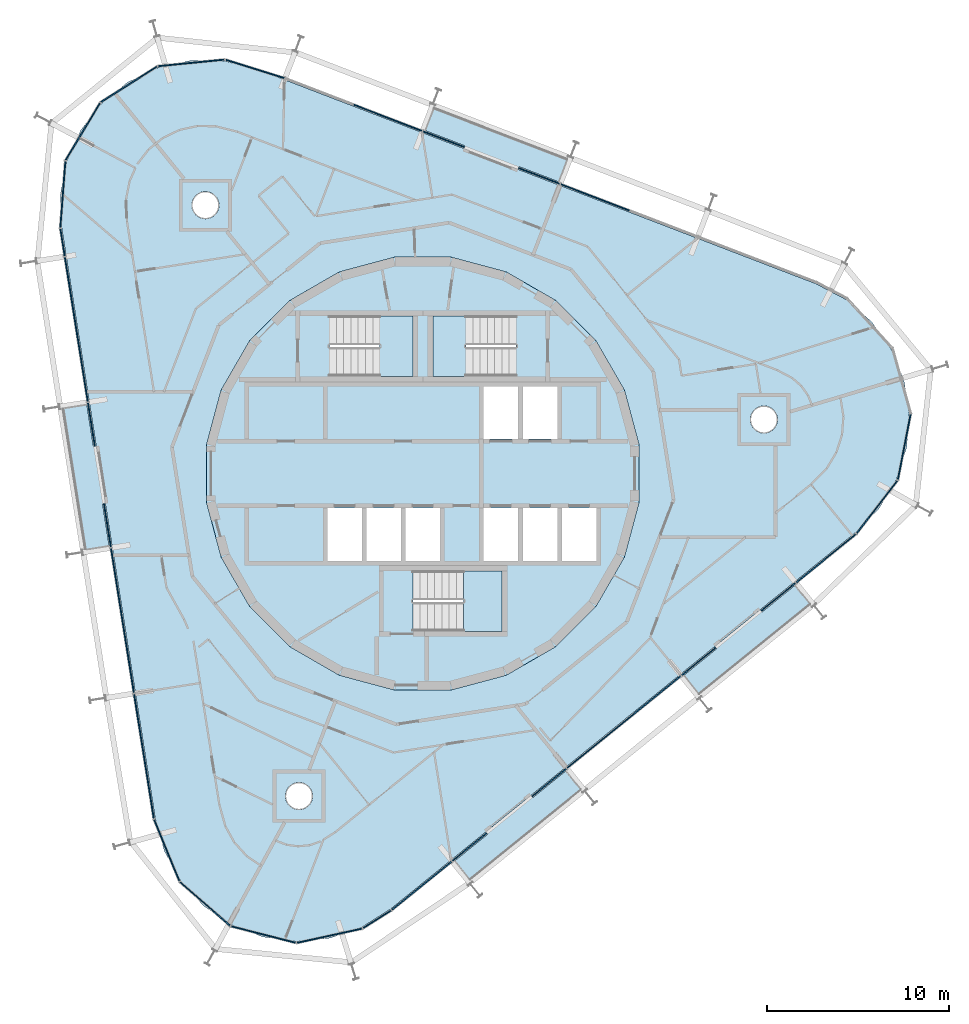
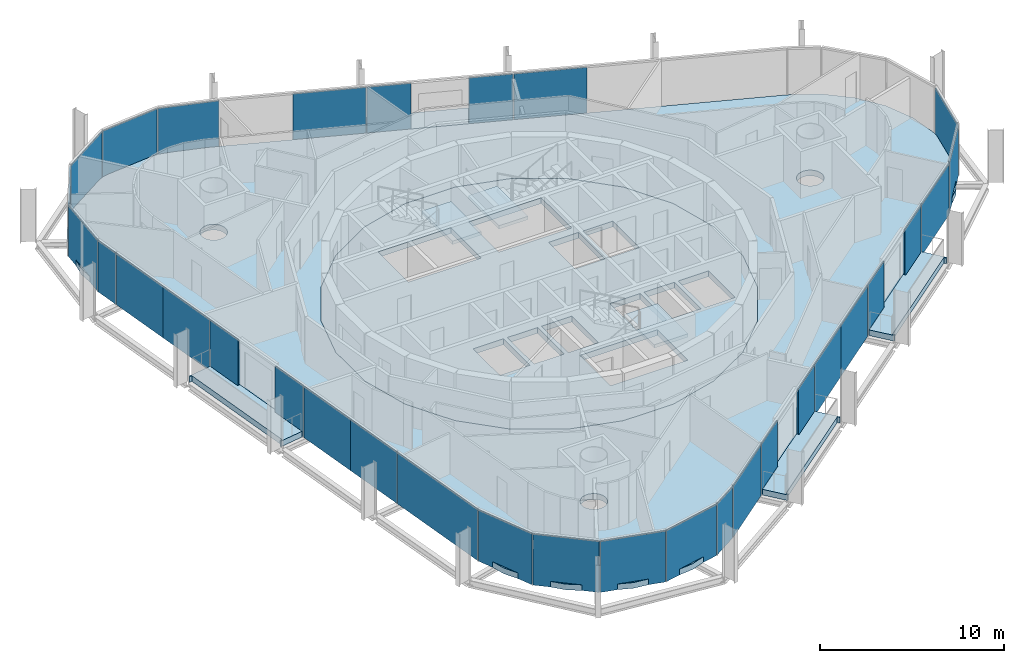
# One storey, part 10 of 17: 32 plates, 9 slabs, 9 elements without a shape of their own.
"""IFC4 building model written with IfcOpenShell, lengths in metres."""

from ifc_helpers import new_model, si_unit, direction, frame, origin, origin_2d, place, context, subcontext, project, spatial, polyline, rectangle, outline, extrude, material, layer, layer_set, type_object, element, aggregate, save


model = new_model("IFC4")

# Units and contexts
model_context = context("Model", 3, precision=1e-05, world=origin(), true_north=direction((0.0, 1.0)))
body_context = subcontext(model_context, "Body", "Model", "MODEL_VIEW")
ifc_project = project(units=[si_unit("LENGTHUNIT", "METRE"), si_unit("AREAUNIT", "SQUARE_METRE"), si_unit("VOLUMEUNIT", "CUBIC_METRE"), si_unit("PLANEANGLEUNIT", "RADIAN"), si_unit("MASSUNIT", "GRAM", prefix="KILO")], contexts=[model_context])

# Site, building, storey
site_placement = place(None, origin())
site = spatial("IfcSite", under=ifc_project, at=site_placement, CompositionType="ELEMENT")
building_placement = place(site_placement, origin())
building = spatial("IfcBuilding", under=site, at=building_placement, Name="Spindle Arch Residences", CompositionType="ELEMENT")
storey_placement = place(building_placement, frame((0.0, 0.0, 284.39990234375)))
storey = spatial("IfcBuildingStorey", under=building, at=storey_placement, Name="L73", CompositionType="ELEMENT", Elevation=284.39990234375)

# Slabs
ifc_material_1 = material(Name="Concrete C40/50", Category="concrete")
ifc_layer_1 = layer(ifc_material_1, 0.3798828125)
ifc_layer_set_1 = layer_set([ifc_layer_1], Name="Balcony slab 380")
slab_type_1 = type_object("IfcSlabType", Name="Balcony slab 380", PredefinedType="FLOOR", material=ifc_layer_set_1)
slab_1_placement = place(storey_placement, frame((0.0, 0.0, -0.3798828125)))
element("IfcSlab", 1, at=slab_1_placement, inside=storey, type_object=slab_type_1, Name="Balcony L73 bay 1", PredefinedType="FLOOR", context=body_context, shape_type="SweptSolid", body=[
    extrude(outline(polyline([(15.258056640625, -12.28125), (15.31640625, -12.234130859375), (15.221923828125, -12.11767578125), (21.28955078125, -7.2041015625), (21.384033203125, -7.32080078125), (21.442138671875, -7.2734375), (20.504638671875, -6.115478515625), (18.65576171875, -7.612548828125), (18.55517578125, -7.48828125), (16.068359375, -9.501953125), (16.1689453125, -9.62646484375), (14.3203125, -11.12353515625), (15.258056640625, -12.28125)])), origin(), (0.0, 0.0, 1.0), 0.3798828125),
])
slab_2_placement = place(storey_placement, frame((0.0, 0.0, -0.3798828125)))
element("IfcSlab", 2, at=slab_2_placement, inside=storey, type_object=slab_type_1, Name="Balcony L73 bay 7", PredefinedType="FLOOR", context=body_context, shape_type="SweptSolid", body=[
    extrude(outline(polyline([(8.052978515625, 17.41748046875), (7.98291015625, 17.4443359375), (7.92919921875, 17.304443359375), (0.64013671875, 20.102294921875), (0.694091796875, 20.242431640625), (0.6240234375, 20.269287109375), (0.090087890625, 18.878173828125), (2.310791015625, 18.025634765625), (2.25341796875, 17.87646484375), (5.240966796875, 16.7294921875), (5.29833984375, 16.87890625), (7.51904296875, 16.0263671875), (8.052978515625, 17.41748046875)])), origin(), (0.0, 0.0, 1.0), 0.3798828125),
])
slab_3_placement = place(storey_placement, frame((0.0, 0.0, -0.3798828125)))
element("IfcSlab", 3, at=slab_3_placement, inside=storey, type_object=slab_type_1, Name="Balcony L73 bay 13", PredefinedType="FLOOR", context=body_context, shape_type="SweptSolid", body=[
    extrude(outline(polyline([(-19.9560546875, 3.603759765625), (-19.9443359375, 3.52978515625), (-19.796142578125, 3.55322265625), (-18.57470703125, -4.158203125), (-18.722900390625, -4.181640625), (-18.711181640625, -4.255859375), (-17.239501953125, -4.022705078125), (-17.611572265625, -1.673095703125), (-17.45361328125, -1.648193359375), (-17.954345703125, 1.512451171875), (-18.1123046875, 1.487548828125), (-18.484375, 3.8369140625), (-19.9560546875, 3.603759765625)])), origin(), (0.0, 0.0, 1.0), 0.3798828125),
])
slab_4_placement = place(storey_placement, frame((0.0, 0.0, -0.3798828125)))
element("IfcSlab", 4, at=slab_4_placement, inside=storey, type_object=slab_type_1, Name="Balcony L73 bay 19", PredefinedType="FLOOR", context=body_context, shape_type="SweptSolid", body=[
    extrude(outline(polyline([(2.656494140625, -22.48583984375), (2.71484375, -22.438720703125), (2.620361328125, -22.322021484375), (8.68798828125, -17.40869140625), (8.782470703125, -17.525146484375), (8.840576171875, -17.47802734375), (7.903076171875, -16.320068359375), (6.05419921875, -17.817138671875), (5.95361328125, -17.69287109375), (3.466796875, -19.70654296875), (3.5673828125, -19.8310546875), (1.71875, -21.327880859375), (2.656494140625, -22.48583984375)])), origin(), (0.0, 0.0, 1.0), 0.3798828125),
])
ifc_material_2 = material(Name="Concrete C50/60", Category="concrete")
ifc_layer_2 = layer(ifc_material_2, 0.3798828125)
ifc_layer_set_2 = layer_set([ifc_layer_2], Name="Core floor slab 380")
slab_type_2 = type_object("IfcSlabType", Name="Core floor slab 380", PredefinedType="FLOOR", material=ifc_layer_set_2)
slab_5_placement = place(storey_placement, frame((0.0, 0.0, -0.3798828125)))
element("IfcSlab", 5, at=slab_5_placement, inside=storey, type_object=slab_type_2, Name="Core floor L73", PredefinedType="FLOOR", context=body_context, shape_type="SweptSolid", body=[
    extrude(outline(polyline([(1.56640625, -11.897216796875), (4.59228515625, -11.086669921875), (7.30517578125, -9.520263671875), (9.520263671875, -7.30517578125), (11.086669921875, -4.59228515625), (11.897216796875, -1.56640625), (11.897216796875, 1.56640625), (11.086669921875, 4.59228515625), (9.520263671875, 7.30517578125), (7.30517578125, 9.520263671875), (4.59228515625, 11.086669921875), (1.56640625, 11.897216796875), (-1.56640625, 11.897216796875), (-4.59228515625, 11.086669921875), (-7.30517578125, 9.520263671875), (-9.520263671875, 7.30517578125), (-11.086669921875, 4.59228515625), (-11.897216796875, 1.56640625), (-11.897216796875, -1.56640625), (-11.086669921875, -4.59228515625), (-9.520263671875, -7.30517578125), (-7.30517578125, -9.520263671875), (-4.59228515625, -11.086669921875), (-1.56640625, -11.897216796875), (1.56640625, -11.897216796875)]), holes=[polyline([(3.35009765625, 1.89990234375), (5.25, 1.89990234375), (5.25, 4.800048828125), (3.35009765625, 4.800048828125), (3.35009765625, 1.89990234375)]), polyline([(5.5, 1.89990234375), (7.39990234375, 1.89990234375), (7.39990234375, 4.800048828125), (5.5, 4.800048828125), (5.5, 1.89990234375)]), polyline([(-5.25, -4.800048828125), (-3.35009765625, -4.800048828125), (-3.35009765625, -1.89990234375), (-5.25, -1.89990234375), (-5.25, -4.800048828125)]), polyline([(-3.10009765625, -4.800048828125), (-1.199951171875, -4.800048828125), (-1.199951171875, -1.89990234375), (-3.10009765625, -1.89990234375), (-3.10009765625, -4.800048828125)]), polyline([(-0.949951171875, -4.800048828125), (0.949951171875, -4.800048828125), (0.949951171875, -1.89990234375), (-0.949951171875, -1.89990234375), (-0.949951171875, -4.800048828125)]), polyline([(3.35009765625, -4.800048828125), (5.25, -4.800048828125), (5.25, -1.89990234375), (3.35009765625, -1.89990234375), (3.35009765625, -4.800048828125)]), polyline([(5.5, -4.800048828125), (7.39990234375, -4.800048828125), (7.39990234375, -1.89990234375), (5.5, -1.89990234375), (5.5, -4.800048828125)]), polyline([(7.64990234375, -4.800048828125), (9.550048828125, -4.800048828125), (9.550048828125, -1.89990234375), (7.64990234375, -1.89990234375), (7.64990234375, -4.800048828125)]), polyline([(5.1298828125, 8.669921875), (0.550048828125, 8.669921875), (0.550048828125, 5.35009765625), (5.1298828125, 5.35009765625), (5.1298828125, 8.669921875)]), polyline([(-5.1298828125, 5.35009765625), (-0.550048828125, 5.35009765625), (-0.550048828125, 8.669921875), (-5.1298828125, 8.669921875), (-5.1298828125, 5.35009765625)]), polyline([(-0.530029296875, -8.669921875), (4.35009765625, -8.669921875), (4.35009765625, -5.35009765625), (-0.530029296875, -5.35009765625), (-0.530029296875, -8.669921875)])]), origin(), (0.0, 0.0, 1.0), 0.3798828125),
])

# Stair, slab
ifc_material_3 = material(Name="Concrete C50/60", Category="concrete")
stair_type = type_object("IfcStairType", Name="Exit stair 16 risers", PredefinedType="HALF_TURN_STAIR", material=ifc_material_3)
stair_1_placement = place(storey_placement, origin())
stair_1 = element("IfcStair", 6, at=stair_1_placement, inside=storey, type_object=stair_type, Name="L73 Exit stair ST1", PredefinedType="HALF_TURN_STAIR")
ifc_material_4 = material(Name="Concrete C50/60", Category="concrete")
ifc_layer_3 = layer(ifc_material_4, 0.219970703125)
ifc_layer_set_3 = layer_set([ifc_layer_3], Name="Exit stair landing 220")
slab_type_3 = type_object("IfcSlabType", Name="Exit stair landing 220", PredefinedType="LANDING", material=ifc_layer_set_3)
slab_6_placement = place(storey_placement, frame((0.0, 0.0, 1.530029296875)))
slab_6 = element("IfcSlab", 7, at=slab_6_placement, type_object=slab_type_3, Name="ST1 landing 1", PredefinedType="LANDING", context=body_context, shape_type="SweptSolid", body=[
    extrude(outline(polyline([(2.3701171875, 8.669921875), (0.550048828125, 8.669921875), (0.550048828125, 5.35009765625), (2.3701171875, 5.35009765625), (2.3701171875, 8.669921875)])), origin(), (0.0, 0.0, 1.0), 0.219970703125),
])
aggregate(stair_1, [slab_6])

stair_2_placement = place(storey_placement, origin())
stair_2 = element("IfcStair", 8, at=stair_2_placement, inside=storey, type_object=stair_type, Name="L73 Exit stair ST2", PredefinedType="HALF_TURN_STAIR")
slab_7_placement = place(storey_placement, frame((0.0, 0.0, 1.530029296875)))
slab_7 = element("IfcSlab", 9, at=slab_7_placement, type_object=slab_type_3, Name="ST2 landing 1", PredefinedType="LANDING", context=body_context, shape_type="SweptSolid", body=[
    extrude(outline(polyline([(-2.3701171875, 5.35009765625), (-0.550048828125, 5.35009765625), (-0.550048828125, 8.669921875), (-2.3701171875, 8.669921875), (-2.3701171875, 5.35009765625)])), origin(), (0.0, 0.0, 1.0), 0.219970703125),
])
aggregate(stair_2, [slab_7])

stair_3_placement = place(storey_placement, origin())
stair_3 = element("IfcStair", 10, at=stair_3_placement, inside=storey, type_object=stair_type, Name="L73 Exit stair ST3", PredefinedType="HALF_TURN_STAIR")
slab_8_placement = place(storey_placement, frame((0.0, 0.0, 1.530029296875)))
slab_8 = element("IfcSlab", 11, at=slab_8_placement, type_object=slab_type_3, Name="ST3 landing 1", PredefinedType="LANDING", context=body_context, shape_type="SweptSolid", body=[
    extrude(outline(polyline([(2.22998046875, -8.669921875), (4.35009765625, -8.669921875), (4.35009765625, -5.35009765625), (2.22998046875, -5.35009765625), (2.22998046875, -8.669921875)])), origin(), (0.0, 0.0, 1.0), 0.219970703125),
])
aggregate(stair_3, [slab_8])

# Slab
ifc_material_5 = material(Name="Concrete C40/50", Category="concrete")
ifc_layer_4 = layer(ifc_material_5, 0.3798828125)
ifc_layer_set_4 = layer_set([ifc_layer_4], Name="Floor slab 380")
slab_type_4 = type_object("IfcSlabType", Name="Floor slab 380", PredefinedType="FLOOR", material=ifc_layer_set_4)
slab_9_placement = place(storey_placement, frame((0.0, 0.0, -0.3798828125)))
element("IfcSlab", 12, at=slab_9_placement, inside=storey, type_object=slab_type_4, Name="Floor slab L73", PredefinedType="FLOOR", context=body_context, shape_type="SweptSolid", body=[
    extrude(outline(polyline([(-3.341552734375, -24.9423828125), (-5.097900390625, -25.547119140625), (-6.9462890625, -25.73046875), (-8.787109375, -25.482666015625), (-10.521240234375, -24.81689453125), (-12.054931640625, -23.769287109375), (-13.305908203125, -22.396240234375), (-14.20654296875, -20.771484375), (-14.7080078125, -18.983154296875), (-19.854248046875, 13.509033203125), (-19.929931640625, 15.364990234375), (-19.575439453125, 17.188232421875), (-18.81005859375, 18.880859375), (-17.675048828125, 20.35107421875), (-16.231689453125, 21.52001953125), (-14.557373046875, 22.32470703125), (-12.74267578125, 22.721435546875), (-10.885498046875, 22.68896484375), (-9.0859375, 22.22900390625), (21.626220703125, 10.439697265625), (23.271484375, 9.577392578125), (24.67333984375, 8.358642578125), (25.75634765625, 6.849609375), (26.462158203125, 5.131591796875), (26.752685546875, 3.296875), (26.6123046875, 1.444580078125), (26.048583984375, -0.3251953125), (25.092041015625, -1.917236328125), (23.7939453125, -3.24609375), (11.010986328125, -13.597412109375), (-1.77197265625, -23.94873046875), (-3.341552734375, -24.9423828125)]), holes=[polyline([(7.30517578125, -9.520263671875), (9.520263671875, -7.30517578125), (11.086669921875, -4.59228515625), (11.897216796875, -1.56640625), (11.897216796875, 1.56640625), (11.086669921875, 4.59228515625), (9.520263671875, 7.30517578125), (7.30517578125, 9.520263671875), (4.59228515625, 11.086669921875), (1.56640625, 11.897216796875), (-1.56640625, 11.897216796875), (-4.59228515625, 11.086669921875), (-7.30517578125, 9.520263671875), (-9.520263671875, 7.30517578125), (-11.086669921875, 4.59228515625), (-11.897216796875, 1.56640625), (-11.897216796875, -1.56640625), (-11.086669921875, -4.59228515625), (-9.520263671875, -7.30517578125), (-7.30517578125, -9.520263671875), (-4.59228515625, -11.086669921875), (-1.56640625, -11.897216796875), (1.56640625, -11.897216796875), (4.59228515625, -11.086669921875), (7.30517578125, -9.520263671875)]), polyline([(-6.2763671875, -18.261962890625), (-6.18310546875, -18.1484375), (-6.11376953125, -18.018798828125), (-6.071044921875, -17.8779296875), (-6.056640625, -17.731689453125), (-6.071044921875, -17.58544921875), (-6.11376953125, -17.444580078125), (-6.18310546875, -17.31494140625), (-6.2763671875, -17.201416015625), (-6.389892578125, -17.108154296875), (-6.51953125, -17.038818359375), (-6.660400390625, -16.99609375), (-6.806640625, -16.981689453125), (-6.952880859375, -16.99609375), (-7.093505859375, -17.038818359375), (-7.223388671875, -17.108154296875), (-7.3369140625, -17.201416015625), (-7.43017578125, -17.31494140625), (-7.49951171875, -17.444580078125), (-7.542236328125, -17.58544921875), (-7.556640625, -17.731689453125), (-7.542236328125, -17.8779296875), (-7.49951171875, -18.018798828125), (-7.43017578125, -18.1484375), (-7.3369140625, -18.261962890625), (-7.223388671875, -18.355224609375), (-7.093505859375, -18.424560546875), (-6.952880859375, -18.46728515625), (-6.806640625, -18.481689453125), (-6.660400390625, -18.46728515625), (-6.51953125, -18.424560546875), (-6.389892578125, -18.355224609375), (-6.2763671875, -18.261962890625)]), polyline([(-11.3291015625, 14.34375), (-11.260009765625, 14.473388671875), (-11.21728515625, 14.6142578125), (-11.202880859375, 14.760498046875), (-11.21728515625, 14.90673828125), (-11.260009765625, 15.047607421875), (-11.3291015625, 15.17724609375), (-11.422607421875, 15.290771484375), (-11.5361328125, 15.384033203125), (-11.665771484375, 15.453369140625), (-11.806396484375, 15.49609375), (-11.952880859375, 15.510498046875), (-12.09912109375, 15.49609375), (-12.23974609375, 15.453369140625), (-12.369384765625, 15.384033203125), (-12.483154296875, 15.290771484375), (-12.576416015625, 15.17724609375), (-12.645751953125, 15.047607421875), (-12.6884765625, 14.90673828125), (-12.702880859375, 14.760498046875), (-12.6884765625, 14.6142578125), (-12.645751953125, 14.473388671875), (-12.576416015625, 14.34375), (-12.483154296875, 14.230224609375), (-12.369384765625, 14.136962890625), (-12.23974609375, 14.067626953125), (-12.09912109375, 14.02490234375), (-11.952880859375, 14.010498046875), (-11.806396484375, 14.02490234375), (-11.665771484375, 14.067626953125), (-11.5361328125, 14.136962890625), (-11.422607421875, 14.230224609375), (-11.3291015625, 14.34375)]), polyline([(19.383056640625, 2.554443359375), (19.452392578125, 2.68408203125), (19.4951171875, 2.824951171875), (19.509521484375, 2.97119140625), (19.4951171875, 3.117431640625), (19.452392578125, 3.25830078125), (19.383056640625, 3.387939453125), (19.289794921875, 3.50146484375), (19.176025390625, 3.5947265625), (19.04638671875, 3.6640625), (18.90576171875, 3.706787109375), (18.759521484375, 3.72119140625), (18.613037109375, 3.706787109375), (18.472412109375, 3.6640625), (18.3427734375, 3.5947265625), (18.22900390625, 3.50146484375), (18.1357421875, 3.387939453125), (18.06640625, 3.25830078125), (18.023681640625, 3.117431640625), (18.009521484375, 2.97119140625), (18.023681640625, 2.824951171875), (18.06640625, 2.68408203125), (18.1357421875, 2.554443359375), (18.22900390625, 2.44091796875), (18.3427734375, 2.34765625), (18.472412109375, 2.2783203125), (18.613037109375, 2.235595703125), (18.759521484375, 2.22119140625), (18.90576171875, 2.235595703125), (19.04638671875, 2.2783203125), (19.176025390625, 2.34765625), (19.289794921875, 2.44091796875), (19.383056640625, 2.554443359375)])]), origin(), (0.0, 0.0, 1.0), 0.3798828125),
])

# Curtain wall, plates
ifc_material_6 = material(Name="Aluminium bronze unitised frame with tinted glass", Category="aluminium")
ifc_layer_5 = layer(ifc_material_6, 0.159912109375)
ifc_layer_set_5 = layer_set([ifc_layer_5], Name="CW-D corner wall on the fillet arcs")
curtain_wall_type_1 = type_object("IfcCurtainWallType", Name="CW-D corner wall on the fillet arcs", PredefinedType="NOTDEFINED", material=ifc_layer_set_5)
curtain_wall_1_placement = place(storey_placement, origin())
curtain_wall_1 = element("IfcCurtainWall", 13, at=curtain_wall_1_placement, inside=storey, type_object=curtain_wall_type_1, Name="CW-D L73 run 1", PredefinedType="NOTDEFINED")
ifc_material_7 = material(Name="Tinted double glazing over non-combustible spandrel zone with 0.55 mm stainless steel cavity fire stop (K0)", Category="steel")
ifc_layer_6 = layer(ifc_material_7, 0.070068359375)
ifc_layer_set_6 = layer_set([ifc_layer_6], Name="Unitised glass panel with spandrel zone and stainless cavity fire stop")
plate_type = type_object("IfcPlateType", Name="Unitised glass panel with spandrel zone and stainless cavity fire stop", PredefinedType="CURTAIN_PANEL", material=ifc_layer_set_6)
plate_1_placement = place(storey_placement, frame((22.178466796875, -4.6572265625, -0.3798828125), z_axis=(0.0, 0.0, 1.0), x_axis=(0.777145961457, 0.62932039105, 0.0)))
plate_1 = element("IfcPlate", 14, at=plate_1_placement, type_object=plate_type, Name="CW-D unit 00", PredefinedType="CURTAIN_PANEL", context=body_context, shape_type="SweptSolid", body=[
    extrude(rectangle(XDim=4.227294921875, YDim=0.070068359375, at=origin_2d()), origin(), (0.0, 0.0, 1.0), 3.3798828125),
])
plate_2_placement = place(storey_placement, frame((24.98291015625, -1.833251953125, -0.3798828125), z_axis=(0.0, 0.0, 1.0), x_axis=(0.611066622764, 0.791579170105, 0.0)))
plate_2 = element("IfcPlate", 15, at=plate_2_placement, type_object=plate_type, Name="CW-D unit 01", PredefinedType="CURTAIN_PANEL", context=body_context, shape_type="SweptSolid", body=[
    extrude(rectangle(XDim=3.666748046875, YDim=0.070068359375, at=origin_2d()), origin(), (0.0, 0.0, 1.0), 3.3798828125),
])
plate_3_placement = place(storey_placement, frame((26.47705078125, 1.470947265625, -0.3798828125), z_axis=(0.0, 0.0, 1.0), x_axis=(0.190808994811, 0.981627183558, 0.0)))
plate_3 = element("IfcPlate", 16, at=plate_3_placement, type_object=plate_type, Name="CW-D unit 02", PredefinedType="CURTAIN_PANEL", context=body_context, shape_type="SweptSolid", body=[
    extrude(rectangle(XDim=3.666748046875, YDim=0.070068359375, at=origin_2d()), origin(), (0.0, 0.0, 1.0), 3.3798828125),
])
aggregate(curtain_wall_1, [plate_1, plate_2, plate_3])

ifc_material_8 = material(Name="Aluminium bronze unitised frame with tinted glass", Category="aluminium")
ifc_layer_7 = layer(ifc_material_8, 0.159912109375)
ifc_layer_set_7 = layer_set([ifc_layer_7], Name="CW-C typical residential unitised wall")
curtain_wall_type_2 = type_object("IfcCurtainWallType", Name="CW-C typical residential unitised wall", PredefinedType="NOTDEFINED", material=ifc_layer_set_7)
curtain_wall_2_placement = place(storey_placement, origin())
curtain_wall_2 = element("IfcCurtainWall", 17, at=curtain_wall_2_placement, inside=storey, type_object=curtain_wall_type_2, Name="CW-C L73 run 2", PredefinedType="NOTDEFINED")
plate_4_placement = place(storey_placement, frame((9.466796875, 15.193115234375, -0.3798828125), z_axis=(0.0, 0.0, 1.0), x_axis=(-0.933580426497, 0.358367949545, 0.0)))
plate_4 = element("IfcPlate", 18, at=plate_4_placement, type_object=plate_type, Name="CW-C unit 05B", PredefinedType="CURTAIN_PANEL", context=body_context, shape_type="SweptSolid", body=[
    extrude(rectangle(XDim=4.023681640625, YDim=0.070068359375, at=origin_2d()), origin(), (0.0, 0.0, 1.0), 3.3798828125),
])
plate_5_placement = place(storey_placement, frame((6.40087890625, 16.369873046875, -0.3798828125), z_axis=(0.0, 0.0, 1.0), x_axis=(-0.933580426497, 0.358367949545, 0.0)))
plate_5 = element("IfcPlate", 19, at=plate_5_placement, type_object=plate_type, Name="CW-C unit 06L", PredefinedType="CURTAIN_PANEL", context=body_context, shape_type="SweptSolid", body=[
    extrude(rectangle(XDim=2.423828125, YDim=0.070068359375, at=origin_2d()), origin(), (0.0, 0.0, 1.0), 3.3798828125),
])
plate_6_placement = place(storey_placement, frame((1.150634765625, 18.38525390625, -0.3798828125), z_axis=(0.0, 0.0, 1.0), x_axis=(-0.933580426497, 0.358367949545, 0.0)))
plate_6 = element("IfcPlate", 20, at=plate_6_placement, type_object=plate_type, Name="CW-C unit 06R", PredefinedType="CURTAIN_PANEL", context=body_context, shape_type="SweptSolid", body=[
    extrude(rectangle(XDim=2.423828125, YDim=0.070068359375, at=origin_2d()), origin(), (0.0, 0.0, 1.0), 3.3798828125),
])
plate_7_placement = place(storey_placement, frame((-1.9150390625, 19.562255859375, -0.3798828125), z_axis=(0.0, 0.0, 1.0), x_axis=(-0.933580426497, 0.358367949545, 0.0)))
plate_7 = element("IfcPlate", 21, at=plate_7_placement, type_object=plate_type, Name="CW-C unit 07A", PredefinedType="CURTAIN_PANEL", context=body_context, shape_type="SweptSolid", body=[
    extrude(rectangle(XDim=4.023681640625, YDim=0.070068359375, at=origin_2d()), origin(), (0.0, 0.0, 1.0), 3.3798828125),
])
aggregate(curtain_wall_2, [plate_4, plate_5, plate_6, plate_7])

curtain_wall_3_placement = place(storey_placement, origin())
curtain_wall_3 = element("IfcCurtainWall", 22, at=curtain_wall_3_placement, inside=storey, type_object=curtain_wall_type_1, Name="CW-D L73 run 3", PredefinedType="NOTDEFINED")
plate_8_placement = place(storey_placement, frame((-9.226318359375, 22.252197265625, -0.3798828125), z_axis=(0.0, 0.0, 1.0), x_axis=(-0.954314920262, 0.298802665594, 0.0)))
plate_8 = element("IfcPlate", 23, at=plate_8_placement, type_object=plate_type, Name="CW-D unit 00", PredefinedType="CURTAIN_PANEL", context=body_context, shape_type="SweptSolid", body=[
    extrude(rectangle(XDim=3.39501953125, YDim=0.070068359375, at=origin_2d()), origin(), (0.0, 0.0, 1.0), 3.3798828125),
])
plate_9_placement = place(storey_placement, frame((-12.729248046875, 22.584228515625, -0.3798828125), z_axis=(0.0, 0.0, 1.0), x_axis=(-0.995113183485, -0.098740832762, 0.0)))
plate_9 = element("IfcPlate", 24, at=plate_9_placement, type_object=plate_type, Name="CW-D unit 01", PredefinedType="CURTAIN_PANEL", context=body_context, shape_type="SweptSolid", body=[
    extrude(rectangle(XDim=3.666748046875, YDim=0.070068359375, at=origin_2d()), origin(), (0.0, 0.0, 1.0), 3.3798828125),
])
plate_10_placement = place(storey_placement, frame((-16.157958984375, 21.403564453125, -0.3798828125), z_axis=(0.0, 0.0, 1.0), x_axis=(-0.844950814707, -0.534844015322, 0.0)))
plate_10 = element("IfcPlate", 25, at=plate_10_placement, type_object=plate_type, Name="CW-D unit 02", PredefinedType="CURTAIN_PANEL", context=body_context, shape_type="SweptSolid", body=[
    extrude(rectangle(XDim=3.666748046875, YDim=0.070068359375, at=origin_2d()), origin(), (0.0, 0.0, 1.0), 3.3798828125),
])
plate_11_placement = place(storey_placement, frame((-18.692138671875, 18.809814453125, -0.3798828125), z_axis=(0.0, 0.0, 1.0), x_axis=(-0.515038072875, -0.857167301925, 0.0)))
plate_11 = element("IfcPlate", 26, at=plate_11_placement, type_object=plate_type, Name="CW-D unit 03", PredefinedType="CURTAIN_PANEL", context=body_context, shape_type="SweptSolid", body=[
    extrude(rectangle(XDim=3.666748046875, YDim=0.070068359375, at=origin_2d()), origin(), (0.0, 0.0, 1.0), 3.3798828125),
])
plate_12_placement = place(storey_placement, frame((-19.79248046875, 15.3544921875, -0.3798828125), z_axis=(0.0, 0.0, 1.0), x_axis=(-0.07555884997, -0.997141344139, 0.0)))
plate_12 = element("IfcPlate", 27, at=plate_12_placement, type_object=plate_type, Name="CW-D unit 04", PredefinedType="CURTAIN_PANEL", context=body_context, shape_type="SweptSolid", body=[
    extrude(rectangle(XDim=3.666748046875, YDim=0.070068359375, at=origin_2d()), origin(), (0.0, 0.0, 1.0), 3.3798828125),
])
plate_13_placement = place(storey_placement, frame((-19.809326171875, 12.7138671875, -0.3798828125), z_axis=(0.0, 0.0, 1.0), x_axis=(0.15643446504, -0.987688340595, 0.0)))
plate_13 = element("IfcPlate", 28, at=plate_13_placement, type_object=plate_type, Name="CW-D unit 05", PredefinedType="CURTAIN_PANEL", context=body_context, shape_type="SweptSolid", body=[
    extrude(rectangle(XDim=1.524658203125, YDim=0.070068359375, at=origin_2d()), origin(), (0.0, 0.0, 1.0), 3.3798828125),
])
aggregate(curtain_wall_3, [plate_8, plate_9, plate_10, plate_11, plate_12, plate_13])

curtain_wall_4_placement = place(storey_placement, origin())
curtain_wall_4 = element("IfcCurtainWall", 29, at=curtain_wall_4_placement, inside=storey, type_object=curtain_wall_type_2, Name="CW-C L73 run 4", PredefinedType="NOTDEFINED")
plate_14_placement = place(storey_placement, frame((-19.365966796875, 9.91455078125, -0.3798828125), z_axis=(0.0, 0.0, 1.0), x_axis=(0.15643446504, -0.987688340595, 0.0)))
plate_14 = element("IfcPlate", 30, at=plate_14_placement, type_object=plate_type, Name="CW-C unit 11A", PredefinedType="CURTAIN_PANEL", context=body_context, shape_type="SweptSolid", body=[
    extrude(rectangle(XDim=4.023681640625, YDim=0.070068359375, at=origin_2d()), origin(), (0.0, 0.0, 1.0), 3.3798828125),
])
plate_15_placement = place(storey_placement, frame((-18.736572265625, 5.9404296875, -0.3798828125), z_axis=(0.0, 0.0, 1.0), x_axis=(0.15643446504, -0.987688340595, 0.0)))
plate_15 = element("IfcPlate", 31, at=plate_15_placement, type_object=plate_type, Name="CW-C unit 11B", PredefinedType="CURTAIN_PANEL", context=body_context, shape_type="SweptSolid", body=[
    extrude(rectangle(XDim=4.023681640625, YDim=0.070068359375, at=origin_2d()), origin(), (0.0, 0.0, 1.0), 3.3798828125),
])
plate_16_placement = place(storey_placement, frame((-18.222900390625, 2.697021484375, -0.3798828125), z_axis=(0.0, 0.0, 1.0), x_axis=(0.15643446504, -0.987688340595, 0.0)))
plate_16 = element("IfcPlate", 32, at=plate_16_placement, type_object=plate_type, Name="CW-C unit 12L", PredefinedType="CURTAIN_PANEL", context=body_context, shape_type="SweptSolid", body=[
    extrude(rectangle(XDim=2.423828125, YDim=0.070068359375, at=origin_2d()), origin(), (0.0, 0.0, 1.0), 3.3798828125),
])
plate_17_placement = place(storey_placement, frame((-17.343017578125, -2.857666015625, -0.3798828125), z_axis=(0.0, 0.0, 1.0), x_axis=(0.15643446504, -0.987688340595, 0.0)))
plate_17 = element("IfcPlate", 33, at=plate_17_placement, type_object=plate_type, Name="CW-C unit 12R", PredefinedType="CURTAIN_PANEL", context=body_context, shape_type="SweptSolid", body=[
    extrude(rectangle(XDim=2.423828125, YDim=0.070068359375, at=origin_2d()), origin(), (0.0, 0.0, 1.0), 3.3798828125),
])
plate_18_placement = place(storey_placement, frame((-16.829345703125, -6.10107421875, -0.3798828125), z_axis=(0.0, 0.0, 1.0), x_axis=(0.15643446504, -0.987688340595, 0.0)))
plate_18 = element("IfcPlate", 34, at=plate_18_placement, type_object=plate_type, Name="CW-C unit 13A", PredefinedType="CURTAIN_PANEL", context=body_context, shape_type="SweptSolid", body=[
    extrude(rectangle(XDim=4.023681640625, YDim=0.070068359375, at=origin_2d()), origin(), (0.0, 0.0, 1.0), 3.3798828125),
])
plate_19_placement = place(storey_placement, frame((-16.199951171875, -10.0751953125, -0.3798828125), z_axis=(0.0, 0.0, 1.0), x_axis=(0.15643446504, -0.987688340595, 0.0)))
plate_19 = element("IfcPlate", 35, at=plate_19_placement, type_object=plate_type, Name="CW-C unit 13B", PredefinedType="CURTAIN_PANEL", context=body_context, shape_type="SweptSolid", body=[
    extrude(rectangle(XDim=4.023681640625, YDim=0.070068359375, at=origin_2d()), origin(), (0.0, 0.0, 1.0), 3.3798828125),
])
aggregate(curtain_wall_4, [plate_14, plate_15, plate_16, plate_17, plate_18, plate_19])

curtain_wall_5_placement = place(storey_placement, origin())
curtain_wall_5 = element("IfcCurtainWall", 36, at=curtain_wall_5_placement, inside=storey, type_object=curtain_wall_type_1, Name="CW-D L73 run 5", PredefinedType="NOTDEFINED")
plate_20_placement = place(storey_placement, frame((-15.333740234375, -15.5439453125, -0.3798828125), z_axis=(0.0, 0.0, 1.0), x_axis=(0.15643446504, -0.987688340595, 0.0)))
plate_20 = element("IfcPlate", 37, at=plate_20_placement, type_object=plate_type, Name="CW-D unit 00", PredefinedType="CURTAIN_PANEL", context=body_context, shape_type="SweptSolid", body=[
    extrude(rectangle(XDim=6.9296875, YDim=0.070068359375, at=origin_2d()), origin(), (0.0, 0.0, 1.0), 3.3798828125),
])
plate_21_placement = place(storey_placement, frame((-14.0791015625, -20.71923828125, -0.3798828125), z_axis=(0.0, 0.0, 1.0), x_axis=(0.379994360085, -0.92498880334, 0.0)))
plate_21 = element("IfcPlate", 38, at=plate_21_placement, type_object=plate_type, Name="CW-D unit 01", PredefinedType="CURTAIN_PANEL", context=body_context, shape_type="SweptSolid", body=[
    extrude(rectangle(XDim=3.666748046875, YDim=0.070068359375, at=origin_2d()), origin(), (0.0, 0.0, 1.0), 3.3798828125),
])
plate_22_placement = place(storey_placement, frame((-11.964599609375, -23.665283203125, -0.3798828125), z_axis=(0.0, 0.0, 1.0), x_axis=(0.754709583074, -0.656059025711, 0.0)))
plate_22 = element("IfcPlate", 39, at=plate_22_placement, type_object=plate_type, Name="CW-D unit 02", PredefinedType="CURTAIN_PANEL", context=body_context, shape_type="SweptSolid", body=[
    extrude(rectangle(XDim=3.666748046875, YDim=0.070068359375, at=origin_2d()), origin(), (0.0, 0.0, 1.0), 3.3798828125),
])
plate_23_placement = place(storey_placement, frame((-8.7529296875, -25.34912109375, -0.3798828125), z_axis=(0.0, 0.0, 1.0), x_axis=(0.968871869392, -0.247562720743, 0.0)))
plate_23 = element("IfcPlate", 40, at=plate_23_placement, type_object=plate_type, Name="CW-D unit 03", PredefinedType="CURTAIN_PANEL", context=body_context, shape_type="SweptSolid", body=[
    extrude(rectangle(XDim=3.666748046875, YDim=0.070068359375, at=origin_2d()), origin(), (0.0, 0.0, 1.0), 3.3798828125),
])
plate_24_placement = place(storey_placement, frame((-5.127197265625, -25.412353515625, -0.3798828125), z_axis=(0.0, 0.0, 1.0), x_axis=(0.976921473489, 0.213598770213, 0.0)))
plate_24 = element("IfcPlate", 41, at=plate_24_placement, type_object=plate_type, Name="CW-D unit 04", PredefinedType="CURTAIN_PANEL", context=body_context, shape_type="SweptSolid", body=[
    extrude(rectangle(XDim=3.666748046875, YDim=0.070068359375, at=origin_2d()), origin(), (0.0, 0.0, 1.0), 3.3798828125),
])
plate_25_placement = place(storey_placement, frame((-2.51416015625, -24.5126953125, -0.3798828125), z_axis=(0.0, 0.0, 1.0), x_axis=(0.844950816658, 0.53484401224, 0.0)))
plate_25 = element("IfcPlate", 42, at=plate_25_placement, type_object=plate_type, Name="CW-D unit 05", PredefinedType="CURTAIN_PANEL", context=body_context, shape_type="SweptSolid", body=[
    extrude(rectangle(XDim=1.816162109375, YDim=0.070068359375, at=origin_2d()), origin(), (0.0, 0.0, 1.0), 3.3798828125),
])
plate_26_placement = place(storey_placement, frame((-0.0556640625, -22.662109375, -0.3798828125), z_axis=(0.0, 0.0, 1.0), x_axis=(0.777145961457, 0.62932039105, 0.0)))
plate_26 = element("IfcPlate", 43, at=plate_26_placement, type_object=plate_type, Name="CW-D unit 06", PredefinedType="CURTAIN_PANEL", context=body_context, shape_type="SweptSolid", body=[
    extrude(rectangle(XDim=4.227294921875, YDim=0.070068359375, at=origin_2d()), origin(), (0.0, 0.0, 1.0), 3.3798828125),
])
aggregate(curtain_wall_5, [plate_20, plate_21, plate_22, plate_23, plate_24, plate_25, plate_26])

curtain_wall_6_placement = place(storey_placement, origin())
curtain_wall_6 = element("IfcCurtainWall", 44, at=curtain_wall_6_placement, inside=storey, type_object=curtain_wall_type_2, Name="CW-C L73 run 6", PredefinedType="NOTDEFINED")
plate_27_placement = place(storey_placement, frame((2.5751953125, -20.531494140625, -0.3798828125), z_axis=(0.0, 0.0, 1.0), x_axis=(0.777145961457, 0.62932039105, 0.0)))
plate_27 = element("IfcPlate", 45, at=plate_27_placement, type_object=plate_type, Name="CW-C unit 18L", PredefinedType="CURTAIN_PANEL", context=body_context, shape_type="SweptSolid", body=[
    extrude(rectangle(XDim=2.423828125, YDim=0.070068359375, at=origin_2d()), origin(), (0.0, 0.0, 1.0), 3.3798828125),
])
plate_28_placement = place(storey_placement, frame((6.94580078125, -16.9921875, -0.3798828125), z_axis=(0.0, 0.0, 1.0), x_axis=(0.777145961457, 0.62932039105, 0.0)))
plate_28 = element("IfcPlate", 46, at=plate_28_placement, type_object=plate_type, Name="CW-C unit 18R", PredefinedType="CURTAIN_PANEL", context=body_context, shape_type="SweptSolid", body=[
    extrude(rectangle(XDim=2.423828125, YDim=0.070068359375, at=origin_2d()), origin(), (0.0, 0.0, 1.0), 3.3798828125),
])
plate_29_placement = place(storey_placement, frame((9.497802734375, -14.92578125, -0.3798828125), z_axis=(0.0, 0.0, 1.0), x_axis=(0.777145961457, 0.62932039105, 0.0)))
plate_29 = element("IfcPlate", 47, at=plate_29_placement, type_object=plate_type, Name="CW-C unit 19A", PredefinedType="CURTAIN_PANEL", context=body_context, shape_type="SweptSolid", body=[
    extrude(rectangle(XDim=4.023681640625, YDim=0.070068359375, at=origin_2d()), origin(), (0.0, 0.0, 1.0), 3.3798828125),
])
plate_30_placement = place(storey_placement, frame((12.624755859375, -12.3935546875, -0.3798828125), z_axis=(0.0, 0.0, 1.0), x_axis=(0.777145961457, 0.62932039105, 0.0)))
plate_30 = element("IfcPlate", 48, at=plate_30_placement, type_object=plate_type, Name="CW-C unit 19B", PredefinedType="CURTAIN_PANEL", context=body_context, shape_type="SweptSolid", body=[
    extrude(rectangle(XDim=4.023681640625, YDim=0.070068359375, at=origin_2d()), origin(), (0.0, 0.0, 1.0), 3.3798828125),
])
plate_31_placement = place(storey_placement, frame((15.1767578125, -10.326904296875, -0.3798828125), z_axis=(0.0, 0.0, 1.0), x_axis=(0.777145961457, 0.62932039105, 0.0)))
plate_31 = element("IfcPlate", 49, at=plate_31_placement, type_object=plate_type, Name="CW-C unit 00L", PredefinedType="CURTAIN_PANEL", context=body_context, shape_type="SweptSolid", body=[
    extrude(rectangle(XDim=2.423828125, YDim=0.070068359375, at=origin_2d()), origin(), (0.0, 0.0, 1.0), 3.3798828125),
])
plate_32_placement = place(storey_placement, frame((19.54736328125, -6.787841796875, -0.3798828125), z_axis=(0.0, 0.0, 1.0), x_axis=(0.777145961457, 0.62932039105, 0.0)))
plate_32 = element("IfcPlate", 50, at=plate_32_placement, type_object=plate_type, Name="CW-C unit 00R", PredefinedType="CURTAIN_PANEL", context=body_context, shape_type="SweptSolid", body=[
    extrude(rectangle(XDim=2.423828125, YDim=0.070068359375, at=origin_2d()), origin(), (0.0, 0.0, 1.0), 3.3798828125),
])
aggregate(curtain_wall_6, [plate_27, plate_28, plate_29, plate_30, plate_31, plate_32])

save(model, "model.ifc")
